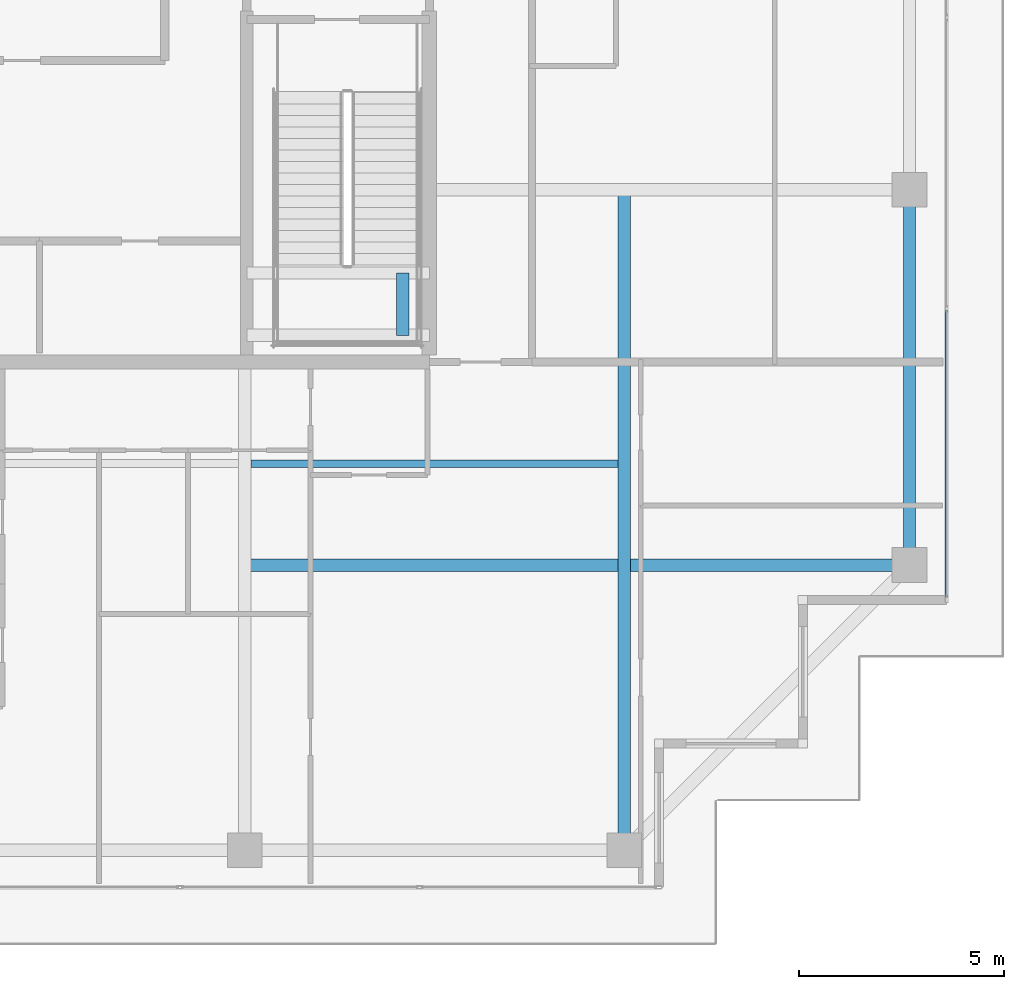
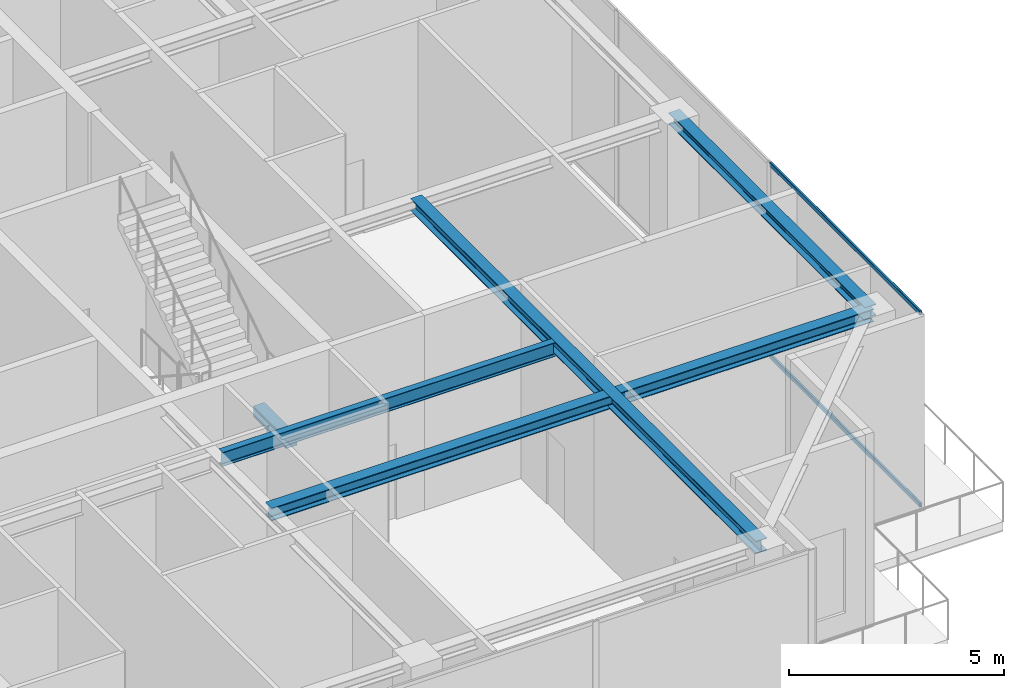
# One storey, part 13 of 38: 5 beams, 2 members, 1 element without a shape of its own.
"""IFC4 building model written with IfcOpenShell, lengths in metres."""

import ifcopenshell
import ifcopenshell.guid

model = None  # the IFC model being written
_history = None  # IfcOwnerHistory: only IFC2X3 demands one
_inside = {}  # id of a spatial element -> (the spatial element, [elements in it])
_under = {}  # id of a project, library or spatial element -> (it, [spatial elements below it])
_declared = {}  # id of a project -> (the project, [libraries it declares])
_typed = {}  # id of a type object -> (the type object, [elements of that type])
_made_of = {}  # id of a material, layer set ... -> (it, [elements and type objects made of it])


def new_model(schema):
    """Start an empty IFC model of exactly this schema.

    Asked for "IFC4X3", IfcOpenShell would pick the latest addendum, in which some entities
    have other attributes; the version numbers below select the first issue.
    IFC2X3 requires an IfcOwnerHistory on every rooted entity: one is made here for all.
    """
    global model, _history
    if schema == "IFC4X3":
        model = ifcopenshell.file(schema_version=(4, 3, 0, 0))
    else:
        model = ifcopenshell.file(schema=schema)
    _inside.clear()
    _under.clear()
    _declared.clear()
    _typed.clear()
    _made_of.clear()
    _history = None
    if model.schema == "IFC2X3":
        org = make("IfcOrganization", Name="unknown")
        user = make(
            "IfcPersonAndOrganization",
            ThePerson=make("IfcPerson", FamilyName="unknown"),
            TheOrganization=org,
        )
        app = make(
            "IfcApplication",
            ApplicationDeveloper=org,
            Version="unknown",
            ApplicationFullName="unknown",
            ApplicationIdentifier="unknown",
        )
        _history = make(
            "IfcOwnerHistory",
            OwningUser=user,
            OwningApplication=app,
            ChangeAction="ADDED",
            CreationDate=0,
        )
    return model


def make(cls, **values):
    """One entity of the class cls with the attributes given. An attribute that is None is left unset."""
    return model.create_entity(
        cls, **{name: value for name, value in values.items() if value is not None}
    )


def rooted(cls, **values):
    """An entity with a GlobalId (a new one), such as an element, a storey or a relation."""
    return make(cls, GlobalId=ifcopenshell.guid.new(), OwnerHistory=_history, **values)


def si_unit(unit_type, name, prefix=None):
    """IfcSIUnit, for example si_unit("LENGTHUNIT", "METRE", prefix="MILLI")."""
    return make("IfcSIUnit", UnitType=unit_type, Prefix=prefix, Name=name)


def assignment(units):
    """IfcUnitAssignment: the units of a project."""
    return None if units is None else make("IfcUnitAssignment", Units=units)


def point(xyz):
    """IfcCartesianPoint."""
    return None if xyz is None else make("IfcCartesianPoint", Coordinates=xyz)


def direction(xyz):
    """IfcDirection."""
    return None if xyz is None else make("IfcDirection", DirectionRatios=xyz)


def frame(location, z_axis=None, x_axis=None):
    """IfcAxis2Placement3D, a coordinate frame: its origin and axes. An axis left out is left unset."""
    return make(
        "IfcAxis2Placement3D",
        Location=point(location),
        Axis=direction(z_axis),
        RefDirection=direction(x_axis),
    )


def frame_2d(location, x_axis=None):
    """IfcAxis2Placement2D, a coordinate frame in the plane: its origin and x axis."""
    return make(
        "IfcAxis2Placement2D", Location=point(location), RefDirection=direction(x_axis)
    )


def origin():
    """The frame at (0, 0, 0) with its axes left unset."""
    return frame((0.0, 0.0, 0.0))


def origin_2d():
    """The frame at (0, 0) in the plane with its x axis left unset."""
    return frame_2d((0.0, 0.0))


def place(relative_to, where):
    """IfcLocalPlacement: puts the frame where relative to a parent placement (None: the world)."""
    return make(
        "IfcLocalPlacement", PlacementRelTo=relative_to, RelativePlacement=where
    )


def context(
    kind, dimensions, precision=None, world=None, true_north=None, identifier=None
):
    """IfcGeometricRepresentationContext, for example the 3D "Model" context."""
    return make(
        "IfcGeometricRepresentationContext",
        ContextIdentifier=identifier,
        ContextType=kind,
        CoordinateSpaceDimension=dimensions,
        Precision=precision,
        WorldCoordinateSystem=world,
        TrueNorth=true_north,
    )


def subcontext(parent, identifier, kind, view, scale=None):
    """IfcGeometricRepresentationSubContext, for example "Body" below "Model"."""
    return make(
        "IfcGeometricRepresentationSubContext",
        ContextIdentifier=identifier,
        ContextType=kind,
        ParentContext=parent,
        TargetScale=scale,
        TargetView=view,
    )


def project(units=None, contexts=None):
    """IfcProject with its units and contexts."""
    return rooted(
        "IfcProject",
        Name="project",
        RepresentationContexts=contexts,
        UnitsInContext=assignment(units),
    )


def spatial(cls, under=None, at=None, **own):
    """A site, building, storey or space (cls), placed at a placement, below another one or the project."""
    s = rooted(cls, ObjectPlacement=at, **own)
    if under is not None:
        _under.setdefault(under.id(), (under, []))[1].append(s)
    return s


def profile(cls, at=None, kind="AREA", **sizes):
    """A parametric profile (cls). Its sizes go by their IFC names, for example OverallWidth=200.0."""
    return make(cls, ProfileType=kind, Position=at, **sizes)


def rectangle(**sizes):
    """IfcRectangleProfileDef."""
    return profile("IfcRectangleProfileDef", **sizes)


def hollow_rectangle(**sizes):
    """IfcRectangleHollowProfileDef."""
    return profile("IfcRectangleHollowProfileDef", **sizes)


def i_section(**sizes):
    """IfcIShapeProfileDef."""
    return profile("IfcIShapeProfileDef", **sizes)


def extrude(swept, where, along, depth):
    """IfcExtrudedAreaSolid: the profile swept, set in the frame where, extruded along a direction by depth."""
    return make(
        "IfcExtrudedAreaSolid",
        SweptArea=swept,
        Position=where,
        ExtrudedDirection=direction(along),
        Depth=depth,
    )


def shape(context_of_items, identifier, shape_type, items):
    """IfcShapeRepresentation: the items that make up one representation, for example the "Body"."""
    return make(
        "IfcShapeRepresentation",
        ContextOfItems=context_of_items,
        RepresentationIdentifier=identifier,
        RepresentationType=shape_type,
        Items=items,
    )


def source(mapping_origin, context_of_items, identifier, shape_type, items):
    """IfcRepresentationMap: a shape defined once, which mapped items show again and again."""
    return make(
        "IfcRepresentationMap",
        MappingOrigin=mapping_origin,
        MappedRepresentation=shape(context_of_items, identifier, shape_type, items),
    )


def transform(
    local_origin,
    x_axis=None,
    y_axis=None,
    z_axis=None,
    scale=None,
    scale2=None,
    scale3=None,
    uniform=True,
):
    """IfcCartesianTransformationOperator3D, or its non-uniform kind. x_axis, y_axis, z_axis: its Axis1, 2, 3."""
    if uniform:
        return make(
            "IfcCartesianTransformationOperator3D",
            Axis1=direction(x_axis),
            Axis2=direction(y_axis),
            LocalOrigin=point(local_origin),
            Scale=scale,
            Axis3=direction(z_axis),
        )
    return make(
        "IfcCartesianTransformationOperator3DnonUniform",
        Axis1=direction(x_axis),
        Axis2=direction(y_axis),
        LocalOrigin=point(local_origin),
        Scale=scale,
        Axis3=direction(z_axis),
        Scale2=scale2,
        Scale3=scale3,
    )


def mapped(mapping_source, mapping_target):
    """IfcMappedItem: shows the shape of a source again, moved by a transform."""
    return make(
        "IfcMappedItem", MappingSource=mapping_source, MappingTarget=mapping_target
    )


def material(Name=None, Category=None):
    """IfcMaterial."""
    return make("IfcMaterial", Name=Name, Category=Category)


def layer(
    of_material, thickness, ventilated=None, Name=None, Category=None, Priority=None
):
    """IfcMaterialLayer: one layer of a wall or slab, of a material (None: an air gap)."""
    return make(
        "IfcMaterialLayer",
        Material=of_material,
        LayerThickness=thickness,
        IsVentilated=ventilated,
        Name=Name,
        Category=Category,
        Priority=Priority,
    )


def layer_set(layers, Name=None):
    """IfcMaterialLayerSet."""
    return make("IfcMaterialLayerSet", MaterialLayers=layers, LayerSetName=Name)


def material_profile(
    of_material, cross_section, Name=None, Category=None, Priority=None
):
    """IfcMaterialProfile: a cross section and its material."""
    return make(
        "IfcMaterialProfile",
        Name=Name,
        Material=of_material,
        Profile=cross_section,
        Priority=Priority,
        Category=Category,
    )


def profile_set(profiles, Name=None, composite=None):
    """IfcMaterialProfileSet."""
    return make(
        "IfcMaterialProfileSet",
        Name=Name,
        MaterialProfiles=profiles,
        CompositeProfile=composite,
    )


def made_of(thing, what):
    """Note that an element or type object is made of a material, layer set ...; save() writes the relation."""
    if what is not None:
        _made_of.setdefault(what.id(), (what, []))[1].append(thing)
    return thing


def type_object(cls, material=None, **own):
    """A type object (cls), such as IfcWallType, which elements share."""
    return made_of(rooted(cls, **own), material)


def element(
    cls,
    number,
    at=None,
    inside=None,
    cuts=None,
    type_object=None,
    material=None,
    context=None,
    identifier="Body",
    shape_type=None,
    held_by="IfcProductDefinitionShape",
    body=None,
    shapes=None,
    **own,
):
    """One element of the class cls, such as IfcWall. Its Tag is "e" and its number.

    at: its placement. inside: the storey or other place that contains it. cuts: it is an
    opening in that element (IfcRelVoidsElement). A single representation is given by context,
    identifier, shape_type and body (its items); several are given by shapes. held_by: the class
    of the entity that holds the representations. save() writes the other relations.
    """
    e = rooted(cls, Tag="e%d" % number, ObjectPlacement=at, **own)
    if body is not None:
        shapes = [shape(context, identifier, shape_type, body)]
    if shapes is not None:
        e.Representation = make(held_by, Representations=shapes)
    if inside is not None:
        _inside.setdefault(inside.id(), (inside, []))[1].append(e)
    if cuts is not None:
        rooted(
            "IfcRelVoidsElement", RelatingBuildingElement=cuts, RelatedOpeningElement=e
        )
    if type_object is not None:
        _typed.setdefault(type_object.id(), (type_object, []))[1].append(e)
    return made_of(e, material)


def aggregate(whole, parts):
    """IfcRelAggregates: a whole, such as a stair, and the parts it consists of."""
    return rooted("IfcRelAggregates", RelatingObject=whole, RelatedObjects=parts)


def save(model, path):
    """Write the relations noted so far, then the file.

    IfcRelAggregates (storeys below a building ...), IfcRelContainedInSpatialStructure (elements
    in a storey), IfcRelDefinesByType, IfcRelAssociatesMaterial and IfcRelDeclares: one each for
    every whole, place, type object, material and project.
    """
    for whole, parts in _under.values():
        aggregate(whole, parts)
    for where, things in _inside.values():
        rooted(
            "IfcRelContainedInSpatialStructure",
            RelatedElements=things,
            RelatingStructure=where,
        )
    for kind, things in _typed.values():
        rooted("IfcRelDefinesByType", RelatedObjects=things, RelatingType=kind)
    for what, things in _made_of.values():
        rooted("IfcRelAssociatesMaterial", RelatedObjects=things, RelatingMaterial=what)
    for by, libraries in _declared.values():
        rooted("IfcRelDeclares", RelatingContext=by, RelatedDefinitions=libraries)
    model.write(path)


model = new_model("IFC4")

# Units and contexts
model_context = context("Model", 3, precision=1e-05, world=origin(), true_north=direction((0.0, 1.0)))
body_context = subcontext(model_context, "Body", "Model", "MODEL_VIEW")
ifc_project = project(units=[si_unit("LENGTHUNIT", "METRE"), si_unit("AREAUNIT", "SQUARE_METRE"), si_unit("VOLUMEUNIT", "CUBIC_METRE"), si_unit("PLANEANGLEUNIT", "RADIAN"), si_unit("MASSUNIT", "GRAM", prefix="KILO")], contexts=[model_context])

# Site, building, storey
site_placement = place(None, origin())
site = spatial("IfcSite", under=ifc_project, at=site_placement, CompositionType="ELEMENT")
building_placement = place(site_placement, origin())
building = spatial("IfcBuilding", under=site, at=building_placement, Name="Serunith Strait Residences", CompositionType="ELEMENT")
storey_placement = place(building_placement, frame((0.0, 0.0, 353.85009765625)))
storey = spatial("IfcBuildingStorey", under=building, at=storey_placement, Name="L87", CompositionType="ELEMENT", Elevation=353.85009765625)

# Beams
ifc_material_1 = material(Name="Steel S355J2", Category="steel")
ifc_material_profile_1 = material_profile(ifc_material_1, i_section(OverallWidth=0.300048828125, OverallDepth=0.360107421875, WebThickness=0.012451171875, FlangeThickness=0.0224609375, FilletRadius=0.027099609375, at=origin_2d()), Name="HEB 360")
ifc_profile_set_1 = profile_set([ifc_material_profile_1], Name="Steel S355J2")
beam_type_1 = type_object("IfcBeamType", Name="BM-HEB360", PredefinedType="BEAM", material=ifc_profile_set_1)
shared_shape_1 = source(origin(), body_context, "Body", "SweptSolid", [
    extrude(i_section(OverallWidth=0.300048828125, OverallDepth=0.360107421875, WebThickness=0.012451171875, FlangeThickness=0.0224609375, FilletRadius=0.027099609375, at=origin_2d()), origin(), (0.0, 0.0, 1.0), 16.10009765625),
])
beam_1_placement = place(storey_placement, frame((46.14990234375, 21.0, 5.35693359375), z_axis=(0.0, -1.0, 0.0), x_axis=(1.0, 0.0, 0.0)))
element("IfcBeam", 1, at=beam_1_placement, inside=storey, type_object=beam_type_1, Name="L87 Orthogonal Corner Girder TC-S4", PredefinedType="BEAM", context=body_context, shape_type="MappedRepresentation", body=[
    mapped(shared_shape_1, transform((0.0, 0.0, 0.0), scale=1.0)),
])
shared_shape_2 = source(origin(), body_context, "Body", "SweptSolid", [
    extrude(i_section(OverallWidth=0.300048828125, OverallDepth=0.360107421875, WebThickness=0.012451171875, FlangeThickness=0.0224609375, FilletRadius=0.027099609375, at=origin_2d()), origin(), (0.0, 0.0, 1.0), 16.2001953125),
])
beam_2_placement = place(storey_placement, frame((36.89990234375, 11.85009765625, 5.35693359375), z_axis=(1.0, 0.0, 0.0), x_axis=(0.0, 1.0, 0.0)))
element("IfcBeam", 2, at=beam_2_placement, inside=storey, type_object=beam_type_1, Name="L87 Orthogonal Corner Girder TC-E1", PredefinedType="BEAM", context=body_context, shape_type="MappedRepresentation", body=[
    mapped(shared_shape_2, transform((0.0, 0.0, 0.0), scale=1.0)),
])
ifc_material_profile_2 = material_profile(ifc_material_1, i_section(OverallWidth=0.300048828125, OverallDepth=0.320068359375, WebThickness=0.011474609375, FlangeThickness=0.0205078125, FilletRadius=0.027099609375, at=origin_2d()), Name="HEB 320")
ifc_profile_set_2 = profile_set([ifc_material_profile_2], Name="Steel S355J2")
beam_type_2 = type_object("IfcBeamType", Name="BM-HEB320", PredefinedType="BEAM", material=ifc_profile_set_2)
shared_shape_3 = source(origin(), body_context, "Body", "SweptSolid", [
    extrude(i_section(OverallWidth=0.300048828125, OverallDepth=0.320068359375, WebThickness=0.011474609375, FlangeThickness=0.0205078125, FilletRadius=0.027099609375, at=origin_2d()), origin(), (0.0, 0.0, 1.0), 9.14990234375),
])
beam_3_placement = place(storey_placement, frame((53.10009765625, 11.85009765625, 5.376953125), z_axis=(0.0, 1.0, 0.0), x_axis=(-1.0, 0.0, 0.0)))
element("IfcBeam", 3, at=beam_3_placement, inside=storey, type_object=beam_type_2, Name="L87 Perimeter Ring Beam 05", PredefinedType="BEAM", context=body_context, shape_type="MappedRepresentation", body=[
    mapped(shared_shape_3, transform((0.0, 0.0, 0.0), scale=1.0)),
])
ifc_material_profile_3 = material_profile(ifc_material_1, i_section(OverallWidth=0.179931640625, OverallDepth=0.39990234375, WebThickness=0.008544921875, FlangeThickness=0.013427734375, FilletRadius=0.02099609375, at=origin_2d()), Name="IPE 400")
ifc_profile_set_3 = profile_set([ifc_material_profile_3], Name="Steel S355J2")
beam_type_3 = type_object("IfcBeamType", Name="BM-IPE400", PredefinedType="JOIST", material=ifc_profile_set_3)
shared_shape_4 = source(origin(), body_context, "Body", "SweptSolid", [
    extrude(i_section(OverallWidth=0.179931640625, OverallDepth=0.39990234375, WebThickness=0.008544921875, FlangeThickness=0.013427734375, FilletRadius=0.02099609375, at=origin_2d()), origin(), (0.0, 0.0, 1.0), 8.949951171875),
])
beam_4_placement = place(storey_placement, frame((37.050048828125, 14.324951171875, 5.3369140625), z_axis=(1.0, 0.0, 0.0), x_axis=(0.0, 1.0, 0.0)))
element("IfcBeam", 4, at=beam_4_placement, inside=storey, type_object=beam_type_3, Name="L87 Composite Floor Joist 03", PredefinedType="JOIST", context=body_context, shape_type="MappedRepresentation", body=[
    mapped(shared_shape_4, transform((0.0, 0.0, 0.0), scale=1.0)),
])
ifc_material_2 = material(Name="Concrete C60/75", Category="concrete")
ifc_material_profile_4 = material_profile(ifc_material_2, rectangle(XDim=0.300048828125, YDim=0.300048828125, at=origin_2d()), Name="RC 300x300")
ifc_profile_set_4 = profile_set([ifc_material_profile_4], Name="Concrete C60/75")
beam_type_4 = type_object("IfcBeamType", Name="BM-LAND-300x300", PredefinedType="BEAM", material=ifc_profile_set_4)
shared_shape_5 = source(origin(), body_context, "Body", "SweptSolid", [
    extrude(rectangle(XDim=0.300048828125, YDim=0.300048828125, at=origin_2d()), origin(), (0.0, 0.0, 1.0), 1.52001953125),
])
beam_5_placement = place(storey_placement, frame((40.75, 17.449951171875, 2.599853515625), z_axis=(0.0, 1.0, 0.0), x_axis=(-1.0, 0.0, 0.0)))
element("IfcBeam", 5, at=beam_5_placement, inside=storey, type_object=beam_type_4, Name="L87 ST-2 Landing Transverse Tie Beam", PredefinedType="BEAM", context=body_context, shape_type="MappedRepresentation", body=[
    mapped(shared_shape_5, transform((0.0, 0.0, 0.0), scale=1.0)),
])

# Curtain wall, members
ifc_material_3 = material(Name="Brushed Stainless-Silver Aluminium", Category="aluminium")
ifc_layer = layer(ifc_material_3, 0.199951171875, Name="Brushed Stainless-Silver Aluminium")
ifc_layer_set = layer_set([ifc_layer], Name="Brushed Stainless-Silver Aluminium")
curtain_wall_type = type_object("IfcCurtainWallType", Name="CW-SYS5", PredefinedType="NOTDEFINED", material=ifc_layer_set)
curtain_wall_placement = place(storey_placement, origin())
curtain_wall = element("IfcCurtainWall", 6, at=curtain_wall_placement, inside=storey, type_object=curtain_wall_type, Name="L87 E Unitised Fritted Curtain Wall", PredefinedType="NOTDEFINED")
ifc_material_profile_5 = material_profile(ifc_material_3, hollow_rectangle(XDim=0.06005859375, YDim=0.1201171875, WallThickness=0.00341796875, InnerFilletRadius=0.00537109375, OuterFilletRadius=0.0087890625, at=origin_2d()), Name="ALU 120x60x3.5")
ifc_profile_set_5 = profile_set([ifc_material_profile_5], Name="Brushed Stainless-Silver Aluminium")
member_type = type_object("IfcMemberType", Name="CW-SYS5-TRAN", PredefinedType="USERDEFINED", material=ifc_profile_set_5)
shared_shape_6 = source(origin(), body_context, "Body", "SweptSolid", [
    extrude(hollow_rectangle(XDim=0.06005859375, YDim=0.1201171875, WallThickness=0.00341796875, InnerFilletRadius=0.00537109375, OuterFilletRadius=0.0087890625, at=origin_2d()), origin(), (0.0, 0.0, 1.0), 7.00244140625),
])
member_1_placement = place(storey_placement, frame((54.0, 11.06494140625, 0.02978515625), z_axis=(0.0, 1.0, 0.0), x_axis=(-1.0, 0.0, 0.0)))
member_1 = element("IfcMember", 7, at=member_1_placement, type_object=member_type, Name="CW-5 transom 1.1", ObjectType="TRANSOM", PredefinedType="USERDEFINED", context=body_context, shape_type="MappedRepresentation", body=[
    mapped(shared_shape_6, transform((0.0, 0.0, 0.0), scale=1.0)),
])
member_2_placement = place(storey_placement, frame((54.0, 11.06494140625, 5.494873046875), z_axis=(0.0, 1.0, 0.0), x_axis=(-1.0, 0.0, 0.0)))
member_2 = element("IfcMember", 8, at=member_2_placement, type_object=member_type, Name="CW-5 transom 1.2", ObjectType="TRANSOM", PredefinedType="USERDEFINED", context=body_context, shape_type="MappedRepresentation", body=[
    mapped(shared_shape_6, transform((0.0, 0.0, 0.0), scale=1.0)),
])
aggregate(curtain_wall, [member_1, member_2])

save(model, "model.ifc")
